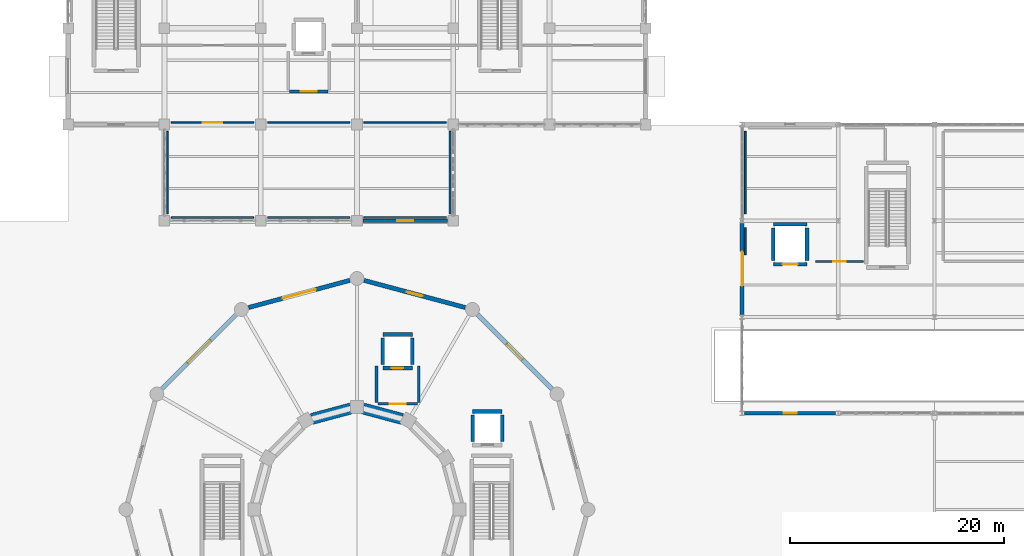
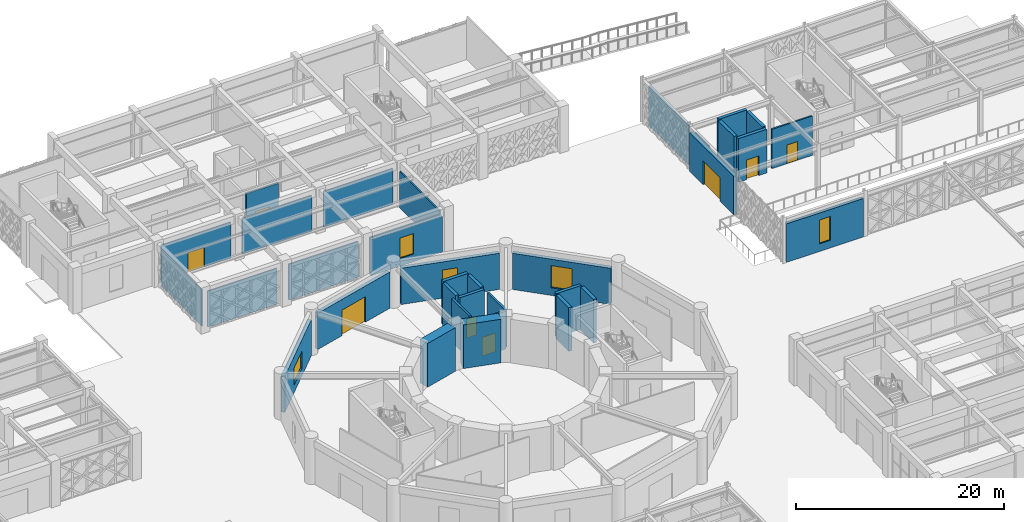
# One storey, part 119 of 140: 35 walls, 8 doors, 5 windows, 13 openings.
"""IFC4 building model written with IfcOpenShell, lengths in metres."""

from ifc_helpers import new_model, si_unit, direction, frame, frame_2d, origin, place, context, subcontext, project, spatial, rectangle, extrude, material, layer, layer_set, type_object, element, fill, save


model = new_model("IFC4")

# Units and contexts
model_context = context("Model", 3, precision=1e-05, world=origin(), true_north=direction((0.0, 1.0)))
body_context = subcontext(model_context, "Body", "Model", "MODEL_VIEW")
ifc_project = project(units=[si_unit("LENGTHUNIT", "METRE"), si_unit("AREAUNIT", "SQUARE_METRE"), si_unit("VOLUMEUNIT", "CUBIC_METRE"), si_unit("PLANEANGLEUNIT", "RADIAN"), si_unit("MASSUNIT", "GRAM", prefix="KILO")], contexts=[model_context])

# Site, building, storey
site_placement = place(None, origin())
site = spatial("IfcSite", under=ifc_project, at=site_placement, CompositionType="ELEMENT")
building_placement = place(site_placement, origin())
building = spatial("IfcBuilding", under=site, at=building_placement, Name="Haizhuo Lancet Aquarium", CompositionType="ELEMENT")
storey_placement = place(building_placement, origin())
storey = spatial("IfcBuildingStorey", under=building, at=storey_placement, Name="L00", CompositionType="ELEMENT", Elevation=0.0)

# Wall, opening, window
ifc_material_1 = material(Name="Shandong Grey Limestone Ashlar", Category="masonry")
ifc_layer_1 = layer(ifc_material_1, 0.320068359375)
ifc_layer_set_1 = layer_set([ifc_layer_1], Name="Shandong Grey Limestone Ashlar")
wall_type_1 = type_object("IfcWallType", Name="EWL-ASH-320", PredefinedType="SOLIDWALL", material=ifc_layer_set_1)
wall_1_placement = place(storey_placement, frame((8.455078125, 27.0, 0.0), z_axis=(0.0, 0.0, 1.0), x_axis=(-1.0, 0.0, 0.0)))
wall_1 = element("IfcWall", 1, at=wall_1_placement, inside=storey, type_object=wall_type_1, Name="L00 V5 limestone facade wall 89", PredefinedType="SOLIDWALL", context=body_context, shape_type="SweptSolid", body=[
    extrude(rectangle(XDim=7.91015625, YDim=0.320068359375, at=frame_2d((3.955078125, 0.0))), origin(), (0.0, 0.0, 1.0), 4.205078125),
])
opening_1_placement = place(wall_1_placement, frame((3.205078125, 0.0, 0.89990234375)))
opening_1 = element("IfcOpeningElement", 2, at=opening_1_placement, cuts=wall_1, Name="Opening WN-04", PredefinedType="OPENING", context=body_context, shape_type="SweptSolid", body=[
    extrude(rectangle(XDim=1.5, YDim=2.39990234375, at=frame_2d((0.75, 1.199951171875))), frame((0.0, 0.169921875, 0.0), z_axis=(0.0, -1.0, 0.0), x_axis=(1.0, 0.0, 0.0)), (0.0, 0.0, 1.0), 0.340068),
])
ifc_material_2 = material(Name="Laminated Low-E Glass", Category="glass")
window_type_1 = type_object("IfcWindowType", Name="WIN-LAN-1500x2400", PartitioningType="SINGLE_PANEL", PredefinedType="WINDOW", material=ifc_material_2)
window_1_placement = place(opening_1_placement, origin())
window_1 = element("IfcWindow", 3, at=window_1_placement, inside=storey, type_object=window_type_1, Name="L00 V5 lancet window 67", OverallHeight=2.39990234375, OverallWidth=1.5, PartitioningType="SINGLE_PANEL", PredefinedType="WINDOW", context=body_context, shape_type="SweptSolid", body=[
    extrude(rectangle(XDim=1.5, YDim=2.39990234375, at=frame_2d((0.75, 1.199951171875))), frame((0.0, 0.030029296875, 0.0), z_axis=(0.0, -1.0, 0.0), x_axis=(1.0, 0.0, 0.0)), (0.0, 0.0, 1.0), 0.06005859375),
])
fill(opening_1, window_1)

ifc_layer_2 = layer(ifc_material_1, 0.360107421875)
ifc_layer_set_2 = layer_set([ifc_layer_2], Name="Shandong Grey Limestone Ashlar")
wall_type_2 = type_object("IfcWallType", Name="EWL-ASH-360", PredefinedType="SOLIDWALL", material=ifc_layer_set_2)
wall_2_placement = place(storey_placement, frame((44.7548828125, 9.0, 0.0), z_axis=(0.0, 0.0, 1.0), x_axis=(-1.0, 0.0, 0.0)))
wall_2 = element("IfcWall", 4, at=wall_2_placement, inside=storey, type_object=wall_type_2, Name="L00 V7 limestone facade wall 108", PredefinedType="SOLIDWALL", context=body_context, shape_type="SweptSolid", body=[
    extrude(rectangle(XDim=8.509765625, YDim=0.360107421875, at=frame_2d((4.2548828125, 0.0))), origin(), (0.0, 0.0, 1.0), 4.51708984375),
])
opening_2_placement = place(wall_2_placement, frame((3.655029296875, 0.0, 0.89990234375)))
opening_2 = element("IfcOpeningElement", 5, at=opening_2_placement, cuts=wall_2, Name="Opening WN-01", PredefinedType="OPENING", context=body_context, shape_type="SweptSolid", body=[
    extrude(rectangle(XDim=1.199951171875, YDim=2.800048828125, at=frame_2d((0.60009765625, 1.39990234375))), frame((0.0, 0.18994140625, 0.0), z_axis=(0.0, -1.0, 0.0), x_axis=(1.0, 0.0, 0.0)), (0.0, 0.0, 1.0), 0.380107),
])
window_type_2 = type_object("IfcWindowType", Name="WIN-LAN-1200x2800", PartitioningType="SINGLE_PANEL", PredefinedType="WINDOW", material=ifc_material_2)
window_2_placement = place(opening_2_placement, origin())
window_2 = element("IfcWindow", 6, at=window_2_placement, inside=storey, type_object=window_type_2, Name="L00 V7 lancet window 82", OverallHeight=2.800048828125, OverallWidth=1.199951171875, PartitioningType="SINGLE_PANEL", PredefinedType="WINDOW", context=body_context, shape_type="SweptSolid", body=[
    extrude(rectangle(XDim=1.199951171875, YDim=2.800048828125, at=frame_2d((0.60009765625, 1.39990234375))), frame((0.0, 0.030029296875, 0.0), z_axis=(0.0, -1.0, 0.0), x_axis=(1.0, 0.0, 0.0)), (0.0, 0.0, 1.0), 0.06005859375),
])
fill(opening_2, window_2)

ifc_layer_3 = layer(ifc_material_1, 0.39990234375)
ifc_layer_set_3 = layer_set([ifc_layer_3], Name="Shandong Grey Limestone Ashlar")
wall_type_3 = type_object("IfcWallType", Name="EWL-ASH-400", PredefinedType="SOLIDWALL", material=ifc_layer_set_3)
wall_3_placement = place(storey_placement, frame((11.291015625, 18.215087890625, 0.0), z_axis=(0.0, 0.0, 1.0), x_axis=(0.707106781187, -0.707106781187, 0.0)))
wall_3 = element("IfcWall", 7, at=wall_3_placement, inside=storey, type_object=wall_type_3, Name="L00 V1 limestone drum wall bay 2", PredefinedType="SOLIDWALL", context=body_context, shape_type="SweptSolid", body=[
    extrude(rectangle(XDim=9.792236328125, YDim=0.39990234375, at=frame_2d((4.89599609375, 0.0))), origin(), (0.0, 0.0, 1.0), 4.2548828125),
])
opening_3_placement = place(wall_3_placement, frame((3.845947265625, 0.0, 0.89990234375)))
opening_3 = element("IfcOpeningElement", 8, at=opening_3_placement, cuts=wall_3, Name="Opening WN-07", PredefinedType="OPENING", context=body_context, shape_type="SweptSolid", body=[
    extrude(rectangle(XDim=2.10009765625, YDim=2.60009765625, at=frame_2d((1.050048828125, 1.300048828125))), frame((0.0, 0.2099609375, 0.0), z_axis=(0.0, -1.0, 0.0), x_axis=(1.0, 0.0, 0.0)), (0.0, 0.0, 1.0), 0.419902),
])
window_type_3 = type_object("IfcWindowType", Name="WIN-LAN-2100x2600", PartitioningType="SINGLE_PANEL", PredefinedType="WINDOW", material=ifc_material_2)
window_3_placement = place(opening_3_placement, origin())
window_3 = element("IfcWindow", 9, at=window_3_placement, inside=storey, type_object=window_type_3, Name="L00 Gothic lancet window 1", OverallHeight=2.60009765625, OverallWidth=2.10009765625, PartitioningType="SINGLE_PANEL", PredefinedType="WINDOW", context=body_context, shape_type="SweptSolid", body=[
    extrude(rectangle(XDim=2.10009765625, YDim=2.60009765625, at=frame_2d((1.050048828125, 1.300048828125))), frame((0.0, 0.030029296875, 0.0), z_axis=(0.0, -1.0, 0.0), x_axis=(1.0, 0.0, 0.0)), (0.0, 0.0, 1.0), 0.06005859375),
])
fill(opening_3, window_3)

wall_4_placement = place(storey_placement, frame((0.6708984375, 21.419921875, 0.0), z_axis=(0.0, 0.0, 1.0), x_axis=(0.965934251614, -0.258787599316, 0.0)))
wall_4 = element("IfcWall", 10, at=wall_4_placement, inside=storey, type_object=wall_type_3, Name="L00 V1 limestone drum wall bay 3", PredefinedType="SOLIDWALL", context=body_context, shape_type="SweptSolid", body=[
    extrude(rectangle(XDim=9.79150390625, YDim=0.39990234375, at=frame_2d((4.895751953125, 0.0))), origin(), (0.0, 0.0, 1.0), 4.2548828125),
])
opening_4_placement = place(wall_4_placement, frame((4.14599609375, 0.0, 0.89990234375)))
opening_4 = element("IfcOpeningElement", 11, at=opening_4_placement, cuts=wall_4, Name="Opening WN-04", PredefinedType="OPENING", context=body_context, shape_type="SweptSolid", body=[
    extrude(rectangle(XDim=1.5, YDim=2.39990234375, at=frame_2d((0.75, 1.199951171875))), frame((0.0, 0.2099609375, 0.0), z_axis=(0.0, -1.0, 0.0), x_axis=(1.0, 0.0, 0.0)), (0.0, 0.0, 1.0), 0.419902),
])
window_4_placement = place(opening_4_placement, origin())
window_4 = element("IfcWindow", 12, at=window_4_placement, inside=storey, type_object=window_type_1, Name="L00 Gothic lancet window 2", OverallHeight=2.39990234375, OverallWidth=1.5, PartitioningType="SINGLE_PANEL", PredefinedType="WINDOW", context=body_context, shape_type="SweptSolid", body=[
    extrude(rectangle(XDim=1.5, YDim=2.39990234375, at=frame_2d((0.75, 1.199951171875))), frame((0.0, 0.030029296875, 0.0), z_axis=(0.0, -1.0, 0.0), x_axis=(1.0, 0.0, 0.0)), (0.0, 0.0, 1.0), 0.06005859375),
])
fill(opening_4, window_4)

# Wall, opening, door
wall_5_placement = place(storey_placement, frame((-10.12890625, 18.885986328125, 0.0), z_axis=(0.0, 0.0, 1.0), x_axis=(0.965934251614, 0.258787599316, 0.0)))
wall_5 = element("IfcWall", 13, at=wall_5_placement, inside=storey, type_object=wall_type_3, Name="L00 V1 limestone drum wall bay 4", PredefinedType="SOLIDWALL", context=body_context, shape_type="SweptSolid", body=[
    extrude(rectangle(XDim=9.79150390625, YDim=0.39990234375, at=frame_2d((4.895751953125, 0.0))), origin(), (0.0, 0.0, 1.0), 4.2548828125),
])
opening_5_placement = place(wall_5_placement, frame((3.2958984375, 0.0, 0.0)))
opening_5 = element("IfcOpeningElement", 14, at=opening_5_placement, cuts=wall_5, Name="Opening ED-A", PredefinedType="OPENING", context=body_context, shape_type="SweptSolid", body=[
    extrude(rectangle(XDim=3.199951171875, YDim=3.0, at=frame_2d((1.60009765625, 1.5))), frame((0.0, 0.2099609375, 0.0), z_axis=(0.0, -1.0, 0.0), x_axis=(1.0, 0.0, 0.0)), (0.0, 0.0, 1.0), 0.419902),
])
ifc_material_3 = material(Name="Aluminium 6063-T6", Category="aluminium")
door_type_1 = type_object("IfcDoorType", Name="EDR-PORTAL-3200x3000", OperationType="NOTDEFINED", PredefinedType="DOOR", material=ifc_material_3)
door_1_placement = place(opening_5_placement, origin())
door_1 = element("IfcDoor", 15, at=door_1_placement, inside=storey, type_object=door_type_1, Name="Pedestrian entrance portal ED-03", OperationType="DOUBLE_DOOR_SINGLE_SWING", OverallHeight=3.0, OverallWidth=3.199951171875, PredefinedType="DOOR", context=body_context, shape_type="SweptSolid", body=[
    extrude(rectangle(XDim=3.199951171875, YDim=3.0, at=frame_2d((1.60009765625, 1.5))), frame((0.0, 0.02490234375, 0.0), z_axis=(0.0, -1.0, 0.0), x_axis=(1.0, 0.0, 0.0)), (0.0, 0.0, 1.0), 0.050048828125),
])
fill(opening_5, door_1)

# Wall, opening, window
wall_6_placement = place(storey_placement, frame((-18.215087890625, 11.291015625, 0.0), z_axis=(0.0, 0.0, 1.0), x_axis=(0.707106781187, 0.707106781187, 0.0)))
wall_6 = element("IfcWall", 16, at=wall_6_placement, inside=storey, type_object=wall_type_3, Name="L00 V1 limestone drum wall bay 5", PredefinedType="SOLIDWALL", context=body_context, shape_type="SweptSolid", body=[
    extrude(rectangle(XDim=9.792236328125, YDim=0.39990234375, at=frame_2d((4.89599609375, 0.0))), origin(), (0.0, 0.0, 1.0), 4.2548828125),
])
opening_6_placement = place(wall_6_placement, frame((3.39599609375, 0.0, 0.89990234375)))
opening_6 = element("IfcOpeningElement", 17, at=opening_6_placement, cuts=wall_6, Name="Opening WN-10", PredefinedType="OPENING", context=body_context, shape_type="SweptSolid", body=[
    extrude(rectangle(XDim=3.0, YDim=2.0, at=frame_2d((1.5, 1.0))), frame((0.0, 0.2099609375, 0.0), z_axis=(0.0, -1.0, 0.0), x_axis=(1.0, 0.0, 0.0)), (0.0, 0.0, 1.0), 0.419902),
])
window_type_4 = type_object("IfcWindowType", Name="WIN-LAN-3000x2000", PartitioningType="SINGLE_PANEL", PredefinedType="WINDOW", material=ifc_material_2)
window_5_placement = place(opening_6_placement, origin())
window_5 = element("IfcWindow", 18, at=window_5_placement, inside=storey, type_object=window_type_4, Name="L00 Gothic lancet window 3", OverallHeight=2.0, OverallWidth=3.0, PartitioningType="SINGLE_PANEL", PredefinedType="WINDOW", context=body_context, shape_type="SweptSolid", body=[
    extrude(rectangle(XDim=3.0, YDim=2.0, at=frame_2d((1.5, 1.0))), frame((0.0, 0.030029296875, 0.0), z_axis=(0.0, -1.0, 0.0), x_axis=(1.0, 0.0, 0.0)), (0.0, 0.0, 1.0), 0.06005859375),
])
fill(opening_6, window_5)

# Wall, opening, door
wall_7_placement = place(storey_placement, frame((36.0, 18.2451171875, 0.0), z_axis=(0.0, 0.0, 1.0), x_axis=(0.0, 1.0, 0.0)))
wall_7 = element("IfcWall", 19, at=wall_7_placement, inside=storey, type_object=wall_type_3, Name="L00 V7 pointed-arch limestone entrance portal wall", PredefinedType="SOLIDWALL", context=body_context, shape_type="SweptSolid", body=[
    extrude(rectangle(XDim=8.509765625, YDim=0.39990234375, at=frame_2d((4.2548828125, 0.0))), origin(), (0.0, 0.0, 1.0), 4.51708984375),
])
opening_7_placement = place(wall_7_placement, frame((2.655029296875, 0.0, 0.0)))
opening_7 = element("IfcOpeningElement", 20, at=opening_7_placement, cuts=wall_7, Name="Opening ED-B", PredefinedType="OPENING", context=body_context, shape_type="SweptSolid", body=[
    extrude(rectangle(XDim=3.199951171875, YDim=2.800048828125, at=frame_2d((1.60009765625, 1.39990234375))), frame((0.0, 0.2099609375, 0.0), z_axis=(0.0, -1.0, 0.0), x_axis=(1.0, 0.0, 0.0)), (0.0, 0.0, 1.0), 0.419902),
])
door_type_2 = type_object("IfcDoorType", Name="EDR-PORTAL-3200x2800", OperationType="NOTDEFINED", PredefinedType="DOOR", material=ifc_material_3)
door_2_placement = place(opening_7_placement, origin())
door_2 = element("IfcDoor", 21, at=door_2_placement, inside=storey, type_object=door_type_2, Name="Ground pedestrian entrance portal ED-20", OperationType="DOUBLE_DOOR_SINGLE_SWING", OverallHeight=2.800048828125, OverallWidth=3.199951171875, PredefinedType="DOOR", context=body_context, shape_type="SweptSolid", body=[
    extrude(rectangle(XDim=3.199951171875, YDim=2.800048828125, at=frame_2d((1.60009765625, 1.39990234375))), frame((0.0, 0.02490234375, 0.0), z_axis=(0.0, -1.0, 0.0), x_axis=(1.0, 0.0, 0.0)), (0.0, 0.0, 1.0), 0.050048828125),
])
fill(opening_7, door_2)

ifc_material_4 = material(Name="Concrete C40/50", Category="concrete")
ifc_layer_4 = layer(ifc_material_4, 0.239990234375)
ifc_layer_set_4 = layer_set([ifc_layer_4], Name="Concrete C40/50")
wall_type_4 = type_object("IfcWallType", Name="IWL-FIRE-240", PredefinedType="PARTITIONING", material=ifc_layer_set_4)
wall_8_placement = place(storey_placement, frame((1.949951171875, 9.8798828125, 0.0), z_axis=(0.0, 0.0, 1.0), x_axis=(1.0, 0.0, 0.0)))
wall_8 = element("IfcWall", 22, at=wall_8_placement, inside=storey, type_object=wall_type_4, Name="L00 LF-01 firefighting lift lobby firewall S", PredefinedType="PARTITIONING", context=body_context, shape_type="SweptSolid", body=[
    extrude(rectangle(XDim=3.699951171875, YDim=0.239990234375, at=frame_2d((1.85009765625, 0.0))), origin(), (0.0, 0.0, 1.0), 4.405029296875),
])
opening_8_placement = place(wall_8_placement, frame((1.10009765625, 0.0, 0.0)))
opening_8 = element("IfcOpeningElement", 23, at=opening_8_placement, cuts=wall_8, Name="Opening FD-03", PredefinedType="OPENING", context=body_context, shape_type="SweptSolid", body=[
    extrude(rectangle(XDim=1.5, YDim=2.199951171875, at=frame_2d((0.75, 1.10009765625))), frame((0.0, 0.1298828125, 0.0), z_axis=(0.0, -1.0, 0.0), x_axis=(1.0, 0.0, 0.0)), (0.0, 0.0, 1.0), 0.25999),
])
ifc_material_5 = material(Name="Steel S355", Category="steel")
door_type_3 = type_object("IfcDoorType", Name="IDR-FFL-1500x2200", OperationType="NOTDEFINED", PredefinedType="DOOR", material=ifc_material_5)
door_3_placement = place(opening_8_placement, origin())
door_3 = element("IfcDoor", 24, at=door_3_placement, inside=storey, type_object=door_type_3, Name="L00 LF-01 firefighting lift lobby door", OperationType="SINGLE_SWING_RIGHT", OverallHeight=2.199951171875, OverallWidth=1.5, PredefinedType="DOOR", context=body_context, shape_type="SweptSolid", body=[
    extrude(rectangle(XDim=1.5, YDim=2.199951171875, at=frame_2d((0.75, 1.10009765625))), frame((0.0, 0.02490234375, 0.0), z_axis=(0.0, -1.0, 0.0), x_axis=(1.0, 0.0, 0.0)), (0.0, 0.0, 1.0), 0.050048828125),
])
fill(opening_8, door_3)

# Walls
wall_9_placement = place(storey_placement, frame((1.830078125, 10.0, 0.0), z_axis=(0.0, 0.0, 1.0), x_axis=(0.0, 1.0, 0.0)))
element("IfcWall", 25, at=wall_9_placement, inside=storey, type_object=wall_type_4, Name="L00 LF-01 firefighting lift lobby firewall W", PredefinedType="PARTITIONING", context=body_context, shape_type="SweptSolid", body=[
    extrude(rectangle(XDim=3.39990234375, YDim=0.239990234375, at=frame_2d((1.699951171875, 0.0))), origin(), (0.0, 0.0, 1.0), 5.070068359375),
])
wall_10_placement = place(storey_placement, frame((5.77001953125, 10.0, 0.0), z_axis=(0.0, 0.0, 1.0), x_axis=(0.0, 1.0, 0.0)))
element("IfcWall", 26, at=wall_10_placement, inside=storey, type_object=wall_type_4, Name="L00 LF-01 firefighting lift lobby firewall E", PredefinedType="PARTITIONING", context=body_context, shape_type="SweptSolid", body=[
    extrude(rectangle(XDim=3.39990234375, YDim=0.239990234375, at=frame_2d((1.699951171875, 0.0))), origin(), (0.0, 0.0, 1.0), 4.405029296875),
])

# Wall, opening, door
wall_11_placement = place(storey_placement, frame((-6.300048828125, 39.080078125, 0.0), z_axis=(0.0, 0.0, 1.0), x_axis=(1.0, 0.0, 0.0)))
wall_11 = element("IfcWall", 27, at=wall_11_placement, inside=storey, type_object=wall_type_4, Name="L00 LF-02 protected lift lobby firewall S", PredefinedType="PARTITIONING", context=body_context, shape_type="SweptSolid", body=[
    extrude(rectangle(XDim=3.60009765625, YDim=0.239990234375, at=frame_2d((1.800048828125, 0.0))), origin(), (0.0, 0.0, 1.0), 4.655029296875),
])
opening_9_placement = place(wall_11_placement, frame((1.050048828125, 0.0, 0.0)))
opening_9 = element("IfcOpeningElement", 28, at=opening_9_placement, cuts=wall_11, Name="Opening FD-03", PredefinedType="OPENING", context=body_context, shape_type="SweptSolid", body=[
    extrude(rectangle(XDim=1.5, YDim=2.199951171875, at=frame_2d((0.75, 1.10009765625))), frame((0.0, 0.1298828125, 0.0), z_axis=(0.0, -1.0, 0.0), x_axis=(1.0, 0.0, 0.0)), (0.0, 0.0, 1.0), 0.25999),
])
door_4_placement = place(opening_9_placement, origin())
door_4 = element("IfcDoor", 29, at=door_4_placement, inside=storey, type_object=door_type_3, Name="L00 LF-02 protected lift lobby door", OperationType="SINGLE_SWING_LEFT", OverallHeight=2.199951171875, OverallWidth=1.5, PredefinedType="DOOR", context=body_context, shape_type="SweptSolid", body=[
    extrude(rectangle(XDim=1.5, YDim=2.199951171875, at=frame_2d((0.75, 1.10009765625))), frame((0.0, 0.02490234375, 0.0), z_axis=(0.0, -1.0, 0.0), x_axis=(1.0, 0.0, 0.0)), (0.0, 0.0, 1.0), 0.050048828125),
])
fill(opening_9, door_4)

# Wall
ifc_layer_5 = layer(ifc_material_4, 0.179931640625)
ifc_layer_set_5 = layer_set([ifc_layer_5], Name="Concrete C40/50")
wall_type_5 = type_object("IfcWallType", Name="IWL-LAB-180", PredefinedType="PARTITIONING", material=ifc_layer_set_5)
wall_12_placement = place(storey_placement, frame((36.300048828125, 26.360107421875, 0.0), z_axis=(0.0, 0.0, 1.0), x_axis=(0.0, -1.0, 0.0)))
element("IfcWall", 30, at=wall_12_placement, inside=storey, type_object=wall_type_5, Name="L00 partition wall 199", PredefinedType="PARTITIONING", context=body_context, shape_type="SweptSolid", body=[
    extrude(rectangle(XDim=2.545166015625, YDim=0.179931640625, at=frame_2d((1.2724609375, 0.0))), origin(), (0.0, 0.0, 1.0), 4.616943359375),
])

# Wall, opening, door
wall_13_placement = place(storey_placement, frame((42.875, 23.199951171875, 0.0), z_axis=(0.0, 0.0, 1.0), x_axis=(1.0, 0.0, 0.0)))
wall_13 = element("IfcWall", 31, at=wall_13_placement, inside=storey, type_object=wall_type_5, Name="L00 partition wall 200", PredefinedType="PARTITIONING", context=body_context, shape_type="SweptSolid", body=[
    extrude(rectangle(XDim=4.47509765625, YDim=0.179931640625, at=frame_2d((2.237548828125, 0.0))), origin(), (0.0, 0.0, 1.0), 4.616943359375),
])
opening_10_placement = place(wall_13_placement, frame((1.637939453125, 0.0, 0.0)))
opening_10 = element("IfcOpeningElement", 32, at=opening_10_placement, cuts=wall_13, Name="Opening D-04", PredefinedType="OPENING", context=body_context, shape_type="SweptSolid", body=[
    extrude(rectangle(XDim=1.199951171875, YDim=2.199951171875, at=frame_2d((0.60009765625, 1.10009765625))), frame((0.0, 0.099853515625, 0.0), z_axis=(0.0, -1.0, 0.0), x_axis=(1.0, 0.0, 0.0)), (0.0, 0.0, 1.0), 0.199932),
])
door_type_4 = type_object("IfcDoorType", Name="IDR-LAB-1200x2200", OperationType="NOTDEFINED", PredefinedType="DOOR", material=ifc_material_5)
door_5_placement = place(opening_10_placement, origin())
door_5 = element("IfcDoor", 33, at=door_5_placement, inside=storey, type_object=door_type_4, Name="L00 Quarantine Intake Suite door", OperationType="SINGLE_SWING_LEFT", OverallHeight=2.199951171875, OverallWidth=1.199951171875, PredefinedType="DOOR", context=body_context, shape_type="SweptSolid", body=[
    extrude(rectangle(XDim=1.199951171875, YDim=2.199951171875, at=frame_2d((0.60009765625, 1.10009765625))), frame((0.0, 0.02490234375, 0.0), z_axis=(0.0, -1.0, 0.0), x_axis=(1.0, 0.0, 0.0)), (0.0, 0.0, 1.0), 0.050048828125),
])
fill(opening_10, door_5)

# Walls
wall_14_placement = place(storey_placement, frame((36.300048828125, 35.35009765625, 0.0), z_axis=(0.0, 0.0, 1.0), x_axis=(0.0, -1.0, 0.0)))
element("IfcWall", 34, at=wall_14_placement, inside=storey, type_object=wall_type_5, Name="L00 partition wall 204", PredefinedType="PARTITIONING", context=body_context, shape_type="SweptSolid", body=[
    extrude(rectangle(XDim=7.7001953125, YDim=0.179931640625, at=frame_2d((3.85009765625, 0.0))), origin(), (0.0, 0.0, 1.0), 4.616943359375),
])
ifc_material_6 = material(Name="Gypsum Fireboard Partition")
ifc_layer_6 = layer(ifc_material_6, 0.14990234375)
ifc_layer_set_6 = layer_set([ifc_layer_6], Name="Gypsum Fireboard Partition")
wall_type_6 = type_object("IfcWallType", Name="IWL-STD-150", PredefinedType="PARTITIONING", material=ifc_layer_set_6)
for number, where, z_axis, x_axis, name in (
    (35, (-17.35009765625, 27.300048828125, 0.0), (0.0, 0.0, 1.0), (1.0, 0.0, 0.0), "L00 partition wall 168"),
    (36, (-8.35009765625, 27.300048828125, 0.0), (0.0, 0.0, 1.0), (1.0, 0.0, 0.0), "L00 partition wall 169"),
):
    element("IfcWall", number, at=place(storey_placement, frame(where, z_axis=z_axis, x_axis=x_axis)), inside=storey, type_object=wall_type_6, Name=name, PredefinedType="PARTITIONING", context=body_context, shape_type="SweptSolid", body=[
        extrude(rectangle(XDim=7.7001953125, YDim=0.14990234375, at=frame_2d((3.85009765625, 0.0))), origin(), (0.0, 0.0, 1.0), 4.205078125),
    ])
wall_15_placement = place(storey_placement, frame((0.64990234375, 27.300048828125, 0.0), z_axis=(0.0, 0.0, 1.0), x_axis=(0.999999871661, 0.00050663367, 0.0)))
element("IfcWall", 37, at=wall_15_placement, inside=storey, type_object=wall_type_6, Name="L00 partition wall 170", PredefinedType="PARTITIONING", context=body_context, shape_type="SweptSolid", body=[
    extrude(rectangle(XDim=7.710205078125, YDim=0.14990234375, at=frame_2d((3.85498046875, 0.0))), origin(), (0.0, 0.0, 1.0), 4.205078125),
])
wall_16_placement = place(storey_placement, frame((8.699951171875, 27.64990234375, 0.0), z_axis=(0.0, 0.0, 1.0), x_axis=(-0.00050663367, 0.999999871661, 0.0)))
element("IfcWall", 38, at=wall_16_placement, inside=storey, type_object=wall_type_6, Name="L00 partition wall 171", PredefinedType="PARTITIONING", context=body_context, shape_type="SweptSolid", body=[
    extrude(rectangle(XDim=7.710205078125, YDim=0.14990234375, at=frame_2d((3.85498046875, 0.0))), origin(), (0.0, 0.0, 1.0), 4.2548828125),
])
for number, where, z_axis, x_axis, name in (
    (39, (8.35009765625, 36.199951171875, 0.0), (0.0, 0.0, 1.0), (-1.0, 0.0, 0.0), "L00 partition wall 172"),
    (40, (-0.64990234375, 36.199951171875, 0.0), (0.0, 0.0, 1.0), (-1.0, 0.0, 0.0), "L00 partition wall 173"),
):
    element("IfcWall", number, at=place(storey_placement, frame(where, z_axis=z_axis, x_axis=x_axis)), inside=storey, type_object=wall_type_6, Name=name, PredefinedType="PARTITIONING", context=body_context, shape_type="SweptSolid", body=[
        extrude(rectangle(XDim=7.710205078125, YDim=0.14990234375, at=frame_2d((3.85498046875, 0.0))), origin(), (0.0, 0.0, 1.0), 4.205078125),
    ])

# Wall, opening, door
wall_17_placement = place(storey_placement, frame((-9.639892578125, 36.199951171875, 0.0), z_axis=(0.0, 0.0, 1.0), x_axis=(-0.999999871994, -0.000505976787, 0.0)))
wall_17 = element("IfcWall", 41, at=wall_17_placement, inside=storey, type_object=wall_type_6, Name="L00 partition wall 174", PredefinedType="PARTITIONING", context=body_context, shape_type="SweptSolid", body=[
    extrude(rectangle(XDim=7.72021484375, YDim=0.14990234375, at=frame_2d((3.860107421875, 0.0))), origin(), (0.0, 0.0, 1.0), 4.205078125),
])
opening_11_placement = place(wall_17_placement, frame((2.9599609375, 0.0, 0.0)))
opening_11 = element("IfcOpeningElement", 42, at=opening_11_placement, cuts=wall_17, Name="Opening D-02", PredefinedType="OPENING", context=body_context, shape_type="SweptSolid", body=[
    extrude(rectangle(XDim=1.800048828125, YDim=2.300048828125, at=frame_2d((0.89990234375, 1.14990234375))), frame((0.0, 0.0849609375, 0.0), z_axis=(0.0, -1.0, 0.0), x_axis=(1.0, 0.0, 0.0)), (0.0, 0.0, 1.0), 0.169902),
])
door_type_5 = type_object("IfcDoorType", Name="IDR-GAL-1800x2300", OperationType="NOTDEFINED", PredefinedType="DOOR", material=ifc_material_3)
door_6_placement = place(opening_11_placement, origin())
door_6 = element("IfcDoor", 43, at=door_6_placement, inside=storey, type_object=door_type_5, Name="L00 Cloister Shoal Exhibit Gallery door", OperationType="DOUBLE_DOOR_SINGLE_SWING", OverallHeight=2.300048828125, OverallWidth=1.800048828125, PredefinedType="DOOR", context=body_context, shape_type="SweptSolid", body=[
    extrude(rectangle(XDim=1.800048828125, YDim=2.300048828125, at=frame_2d((0.89990234375, 1.14990234375))), frame((0.0, 0.02490234375, 0.0), z_axis=(0.0, -1.0, 0.0), x_axis=(1.0, 0.0, 0.0)), (0.0, 0.0, 1.0), 0.050048828125),
])
fill(opening_11, door_6)

# Wall
wall_18_placement = place(storey_placement, frame((-17.699951171875, 35.35009765625, 0.0), z_axis=(0.0, 0.0, 1.0), x_axis=(0.0, -1.0, 0.0)))
element("IfcWall", 44, at=wall_18_placement, inside=storey, type_object=wall_type_6, Name="L00 partition wall 175", PredefinedType="PARTITIONING", context=body_context, shape_type="SweptSolid", body=[
    extrude(rectangle(XDim=7.7001953125, YDim=0.14990234375, at=frame_2d((3.85009765625, 0.0))), origin(), (0.0, 0.0, 1.0), 4.2548828125),
])

# Wall, opening, door
ifc_layer_7 = layer(ifc_material_4, 0.35009765625)
ifc_layer_set_7 = layer_set([ifc_layer_7], Name="Concrete C40/50")
wall_type_7 = type_object("IfcWallType", Name="WL-CORE-350", PredefinedType="SHEAR", material=ifc_layer_set_7)
wall_19_placement = place(storey_placement, frame((2.425048828125, 13.22509765625, 0.0), z_axis=(0.0, 0.0, 1.0), x_axis=(1.0, 0.0, 0.0)))
wall_19 = element("IfcWall", 45, at=wall_19_placement, inside=storey, type_object=wall_type_7, Name="L00 LF-01 lift shaft wall -Y", PredefinedType="SHEAR", context=body_context, shape_type="SweptSolid", body=[
    extrude(rectangle(XDim=2.75, YDim=0.35009765625, at=frame_2d((1.375, 0.0))), origin(), (0.0, 0.0, 1.0), 5.1201171875),
])
opening_12_placement = place(wall_19_placement, frame((0.824951171875, 0.0, 0.0)))
opening_12 = element("IfcOpeningElement", 46, at=opening_12_placement, cuts=wall_19, Name="Opening LD-01", PredefinedType="OPENING", context=body_context, shape_type="SweptSolid", body=[
    extrude(rectangle(XDim=1.10009765625, YDim=2.199951171875, at=frame_2d((0.550048828125, 1.10009765625))), frame((0.0, 0.18505859375, 0.0), z_axis=(0.0, -1.0, 0.0), x_axis=(1.0, 0.0, 0.0)), (0.0, 0.0, 1.0), 0.370098),
])
door_type_6 = type_object("IfcDoorType", Name="IDR-LIFT-1100x2200", OperationType="NOTDEFINED", PredefinedType="DOOR", material=ifc_material_5)
door_7_placement = place(opening_12_placement, origin())
door_7 = element("IfcDoor", 47, at=door_7_placement, inside=storey, type_object=door_type_6, Name="L00 LF-01 sliding lift landing door", OperationType="DOUBLE_DOOR_SLIDING", OverallHeight=2.199951171875, OverallWidth=1.10009765625, PredefinedType="DOOR", context=body_context, shape_type="SweptSolid", body=[
    extrude(rectangle(XDim=1.10009765625, YDim=2.199951171875, at=frame_2d((0.550048828125, 1.10009765625))), frame((0.0, 0.02490234375, 0.0), z_axis=(0.0, -1.0, 0.0), x_axis=(1.0, 0.0, 0.0)), (0.0, 0.0, 1.0), 0.050048828125),
])
fill(opening_12, door_7)

# Walls
wall_20_placement = place(storey_placement, frame((5.175048828125, 16.375, 0.0), z_axis=(0.0, 0.0, 1.0), x_axis=(-1.0, 0.0, 0.0)))
element("IfcWall", 48, at=wall_20_placement, inside=storey, type_object=wall_type_7, Name="L00 LF-01 lift shaft wall +Y", PredefinedType="SHEAR", context=body_context, shape_type="SweptSolid", body=[
    extrude(rectangle(XDim=2.75, YDim=0.35009765625, at=frame_2d((1.375, 0.0))), origin(), (0.0, 0.0, 1.0), 5.1201171875),
])
for number, where, z_axis, x_axis, name in (
    (49, (2.425048828125, 13.574951171875, 0.0), (0.0, 0.0, 1.0), (0.0, 1.0, 0.0), "L00 LF-01 lift shaft wall -X"),
    (50, (5.175048828125, 13.574951171875, 0.0), (0.0, 0.0, 1.0), (0.0, 1.0, 0.0), "L00 LF-01 lift shaft wall +X"),
):
    element("IfcWall", number, at=place(storey_placement, frame(where, z_axis=z_axis, x_axis=x_axis)), inside=storey, type_object=wall_type_7, Name=name, PredefinedType="SHEAR", context=body_context, shape_type="SweptSolid", body=[
        extrude(rectangle(XDim=2.449951171875, YDim=0.35009765625, at=frame_2d((1.22509765625, 0.0))), origin(), (0.0, 0.0, 1.0), 5.1201171875),
    ])
wall_21_placement = place(storey_placement, frame((13.574951171875, 9.175048828125, 0.0), z_axis=(0.0, 0.0, 1.0), x_axis=(-1.0, 0.0, 0.0)))
element("IfcWall", 51, at=wall_21_placement, inside=storey, type_object=wall_type_7, Name="L00 LP-01 lift shaft wall +Y", PredefinedType="SHEAR", context=body_context, shape_type="SweptSolid", body=[
    extrude(rectangle(XDim=2.75, YDim=0.35009765625, at=frame_2d((1.375, 0.0))), origin(), (0.0, 0.0, 1.0), 5.1201171875),
])
for number, where, z_axis, x_axis, name in (
    (52, (10.824951171875, 6.375, 0.0), (0.0, 0.0, 1.0), (0.0, 1.0, 0.0), "L00 LP-01 lift shaft wall -X"),
    (53, (13.574951171875, 6.375, 0.0), (0.0, 0.0, 1.0), (0.0, 1.0, 0.0), "L00 LP-01 lift shaft wall +X"),
):
    element("IfcWall", number, at=place(storey_placement, frame(where, z_axis=z_axis, x_axis=x_axis)), inside=storey, type_object=wall_type_7, Name=name, PredefinedType="SHEAR", context=body_context, shape_type="SweptSolid", body=[
        extrude(rectangle(XDim=2.449951171875, YDim=0.35009765625, at=frame_2d((1.22509765625, 0.0))), origin(), (0.0, 0.0, 1.0), 5.1201171875),
    ])

# Wall, opening, door
wall_22_placement = place(storey_placement, frame((38.925048828125, 22.925048828125, 0.0), z_axis=(0.0, 0.0, 1.0), x_axis=(1.0, 0.0, 0.0)))
wall_22 = element("IfcWall", 54, at=wall_22_placement, inside=storey, type_object=wall_type_7, Name="L00 LG-01 lift shaft wall -Y", PredefinedType="SHEAR", context=body_context, shape_type="SweptSolid", body=[
    extrude(rectangle(XDim=3.14990234375, YDim=0.35009765625, at=frame_2d((1.574951171875, 0.0))), origin(), (0.0, 0.0, 1.0), 5.1201171875),
])
opening_13_placement = place(wall_22_placement, frame((0.875, 0.0, 0.0)))
opening_13 = element("IfcOpeningElement", 55, at=opening_13_placement, cuts=wall_22, Name="Opening LD-02", PredefinedType="OPENING", context=body_context, shape_type="SweptSolid", body=[
    extrude(rectangle(XDim=1.39990234375, YDim=2.300048828125, at=frame_2d((0.699951171875, 1.14990234375))), frame((0.0, 0.18505859375, 0.0), z_axis=(0.0, -1.0, 0.0), x_axis=(1.0, 0.0, 0.0)), (0.0, 0.0, 1.0), 0.370098),
])
door_type_7 = type_object("IfcDoorType", Name="IDR-LIFT-1400x2300", OperationType="NOTDEFINED", PredefinedType="DOOR", material=ifc_material_5)
door_8_placement = place(opening_13_placement, origin())
door_8 = element("IfcDoor", 56, at=door_8_placement, inside=storey, type_object=door_type_7, Name="L00 LG-01 sliding lift landing door", OperationType="DOUBLE_DOOR_SLIDING", OverallHeight=2.300048828125, OverallWidth=1.39990234375, PredefinedType="DOOR", context=body_context, shape_type="SweptSolid", body=[
    extrude(rectangle(XDim=1.39990234375, YDim=2.300048828125, at=frame_2d((0.699951171875, 1.14990234375))), frame((0.0, 0.02490234375, 0.0), z_axis=(0.0, -1.0, 0.0), x_axis=(1.0, 0.0, 0.0)), (0.0, 0.0, 1.0), 0.050048828125),
])
fill(opening_13, door_8)

# Walls
wall_23_placement = place(storey_placement, frame((42.074951171875, 26.675048828125, 0.0), z_axis=(0.0, 0.0, 1.0), x_axis=(-1.0, 0.0, 0.0)))
element("IfcWall", 57, at=wall_23_placement, inside=storey, type_object=wall_type_7, Name="L00 LG-01 lift shaft wall +Y", PredefinedType="SHEAR", context=body_context, shape_type="SweptSolid", body=[
    extrude(rectangle(XDim=3.14990234375, YDim=0.35009765625, at=frame_2d((1.574951171875, 0.0))), origin(), (0.0, 0.0, 1.0), 5.1201171875),
])
for number, where, z_axis, x_axis, name in (
    (58, (38.925048828125, 23.27490234375, 0.0), (0.0, 0.0, 1.0), (0.0, 1.0, 0.0), "L00 LG-01 lift shaft wall -X"),
    (59, (42.074951171875, 23.27490234375, 0.0), (0.0, 0.0, 1.0), (0.0, 1.0, 0.0), "L00 LG-01 lift shaft wall +X"),
):
    element("IfcWall", number, at=place(storey_placement, frame(where, z_axis=z_axis, x_axis=x_axis)), inside=storey, type_object=wall_type_7, Name=name, PredefinedType="SHEAR", context=body_context, shape_type="SweptSolid", body=[
        extrude(rectangle(XDim=3.050048828125, YDim=0.35009765625, at=frame_2d((1.52490234375, 0.0))), origin(), (0.0, 0.0, 1.0), 5.1201171875),
    ])
ifc_material_7 = material(Name="Concrete C45/55", Category="concrete")
ifc_layer_8 = layer(ifc_material_7, 1.050048828125)
ifc_layer_set_8 = layer_set([ifc_layer_8], Name="Concrete C45/55")
wall_type_8 = type_object("IfcWallType", Name="WL-TANK-1050", PredefinedType="SHEAR", material=ifc_layer_set_8)
for number, where, z_axis, x_axis, name in (
    (60, (4.219970703125, 8.468994140625, 0.0), (0.0, 0.0, 1.0), (-0.965874862682, 0.259009169026, 0.0), "L00 Pelagic Ocean Tank hydrostatic wall chord 3"),
    (61, (-0.580078125, 9.445068359375, 0.0), (0.0, 0.0, 1.0), (-0.965874862682, -0.259009169026, 0.0), "L00 Pelagic Ocean Tank hydrostatic wall chord 4"),
):
    element("IfcWall", number, at=place(storey_placement, frame(where, z_axis=z_axis, x_axis=x_axis)), inside=storey, type_object=wall_type_8, Name=name, PredefinedType="SHEAR", context=body_context, shape_type="SweptSolid", body=[
        extrude(rectangle(XDim=3.7685546875, YDim=1.050048828125, at=frame_2d((1.88427734375, 0.0))), origin(), (0.0, 0.0, 1.0), 5.1201171875),
    ])

save(model, "model.ifc")
